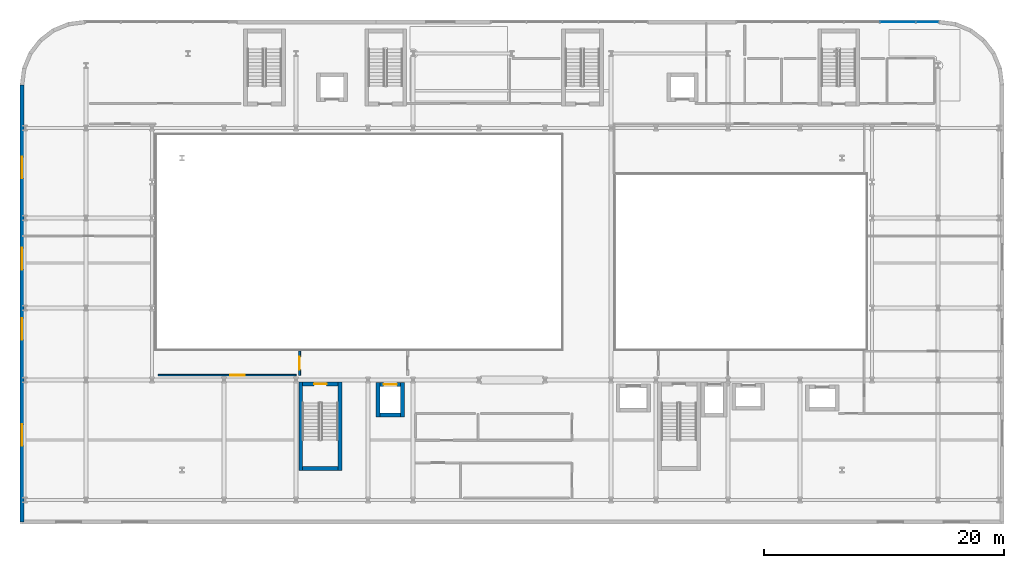
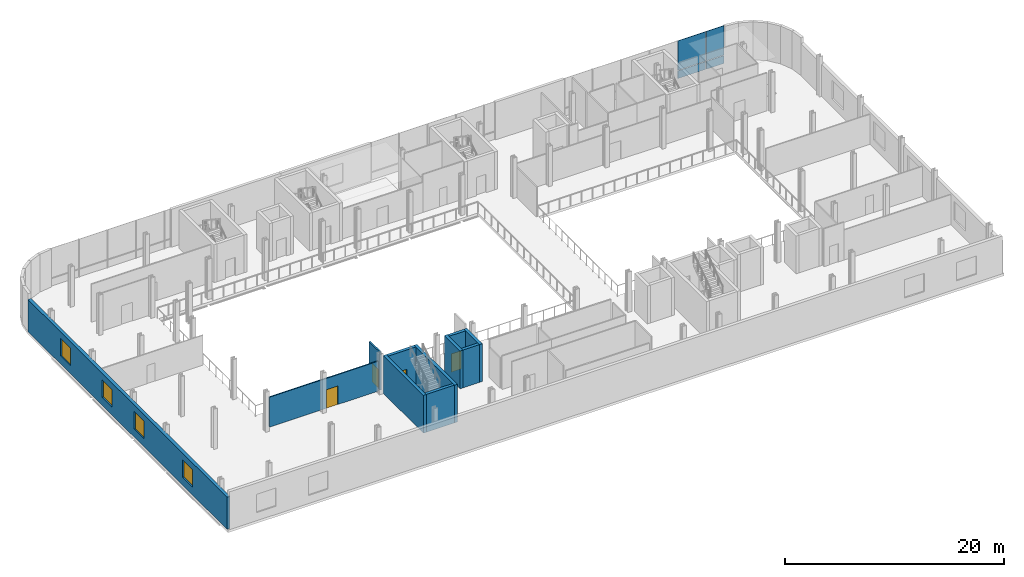
# One storey, part 15 of 25: 11 walls, 4 doors, 4 plates, 4 windows, 8 openings, 1 element without a shape of its own.
"""IFC4 building model written with IfcOpenShell, lengths in metres."""

import ifcopenshell
import ifcopenshell.guid

model = None  # the IFC model being written
_history = None  # IfcOwnerHistory: only IFC2X3 demands one
_inside = {}  # id of a spatial element -> (the spatial element, [elements in it])
_under = {}  # id of a project, library or spatial element -> (it, [spatial elements below it])
_declared = {}  # id of a project -> (the project, [libraries it declares])
_typed = {}  # id of a type object -> (the type object, [elements of that type])
_made_of = {}  # id of a material, layer set ... -> (it, [elements and type objects made of it])


def new_model(schema):
    """Start an empty IFC model of exactly this schema.

    Asked for "IFC4X3", IfcOpenShell would pick the latest addendum, in which some entities
    have other attributes; the version numbers below select the first issue.
    IFC2X3 requires an IfcOwnerHistory on every rooted entity: one is made here for all.
    """
    global model, _history
    if schema == "IFC4X3":
        model = ifcopenshell.file(schema_version=(4, 3, 0, 0))
    else:
        model = ifcopenshell.file(schema=schema)
    _inside.clear()
    _under.clear()
    _declared.clear()
    _typed.clear()
    _made_of.clear()
    _history = None
    if model.schema == "IFC2X3":
        org = make("IfcOrganization", Name="unknown")
        user = make(
            "IfcPersonAndOrganization",
            ThePerson=make("IfcPerson", FamilyName="unknown"),
            TheOrganization=org,
        )
        app = make(
            "IfcApplication",
            ApplicationDeveloper=org,
            Version="unknown",
            ApplicationFullName="unknown",
            ApplicationIdentifier="unknown",
        )
        _history = make(
            "IfcOwnerHistory",
            OwningUser=user,
            OwningApplication=app,
            ChangeAction="ADDED",
            CreationDate=0,
        )
    return model


def make(cls, **values):
    """One entity of the class cls with the attributes given. An attribute that is None is left unset."""
    return model.create_entity(
        cls, **{name: value for name, value in values.items() if value is not None}
    )


def rooted(cls, **values):
    """An entity with a GlobalId (a new one), such as an element, a storey or a relation."""
    return make(cls, GlobalId=ifcopenshell.guid.new(), OwnerHistory=_history, **values)


def si_unit(unit_type, name, prefix=None):
    """IfcSIUnit, for example si_unit("LENGTHUNIT", "METRE", prefix="MILLI")."""
    return make("IfcSIUnit", UnitType=unit_type, Prefix=prefix, Name=name)


def assignment(units):
    """IfcUnitAssignment: the units of a project."""
    return None if units is None else make("IfcUnitAssignment", Units=units)


def point(xyz):
    """IfcCartesianPoint."""
    return None if xyz is None else make("IfcCartesianPoint", Coordinates=xyz)


def direction(xyz):
    """IfcDirection."""
    return None if xyz is None else make("IfcDirection", DirectionRatios=xyz)


def frame(location, z_axis=None, x_axis=None):
    """IfcAxis2Placement3D, a coordinate frame: its origin and axes. An axis left out is left unset."""
    return make(
        "IfcAxis2Placement3D",
        Location=point(location),
        Axis=direction(z_axis),
        RefDirection=direction(x_axis),
    )


def frame_2d(location, x_axis=None):
    """IfcAxis2Placement2D, a coordinate frame in the plane: its origin and x axis."""
    return make(
        "IfcAxis2Placement2D", Location=point(location), RefDirection=direction(x_axis)
    )


def origin():
    """The frame at (0, 0, 0) with its axes left unset."""
    return frame((0.0, 0.0, 0.0))


def origin_2d():
    """The frame at (0, 0) in the plane with its x axis left unset."""
    return frame_2d((0.0, 0.0))


def place(relative_to, where):
    """IfcLocalPlacement: puts the frame where relative to a parent placement (None: the world)."""
    return make(
        "IfcLocalPlacement", PlacementRelTo=relative_to, RelativePlacement=where
    )


def context(
    kind, dimensions, precision=None, world=None, true_north=None, identifier=None
):
    """IfcGeometricRepresentationContext, for example the 3D "Model" context."""
    return make(
        "IfcGeometricRepresentationContext",
        ContextIdentifier=identifier,
        ContextType=kind,
        CoordinateSpaceDimension=dimensions,
        Precision=precision,
        WorldCoordinateSystem=world,
        TrueNorth=true_north,
    )


def subcontext(parent, identifier, kind, view, scale=None):
    """IfcGeometricRepresentationSubContext, for example "Body" below "Model"."""
    return make(
        "IfcGeometricRepresentationSubContext",
        ContextIdentifier=identifier,
        ContextType=kind,
        ParentContext=parent,
        TargetScale=scale,
        TargetView=view,
    )


def project(units=None, contexts=None):
    """IfcProject with its units and contexts."""
    return rooted(
        "IfcProject",
        Name="project",
        RepresentationContexts=contexts,
        UnitsInContext=assignment(units),
    )


def spatial(cls, under=None, at=None, **own):
    """A site, building, storey or space (cls), placed at a placement, below another one or the project."""
    s = rooted(cls, ObjectPlacement=at, **own)
    if under is not None:
        _under.setdefault(under.id(), (under, []))[1].append(s)
    return s


def profile(cls, at=None, kind="AREA", **sizes):
    """A parametric profile (cls). Its sizes go by their IFC names, for example OverallWidth=200.0."""
    return make(cls, ProfileType=kind, Position=at, **sizes)


def rectangle(**sizes):
    """IfcRectangleProfileDef."""
    return profile("IfcRectangleProfileDef", **sizes)


def extrude(swept, where, along, depth):
    """IfcExtrudedAreaSolid: the profile swept, set in the frame where, extruded along a direction by depth."""
    return make(
        "IfcExtrudedAreaSolid",
        SweptArea=swept,
        Position=where,
        ExtrudedDirection=direction(along),
        Depth=depth,
    )


def shape(context_of_items, identifier, shape_type, items):
    """IfcShapeRepresentation: the items that make up one representation, for example the "Body"."""
    return make(
        "IfcShapeRepresentation",
        ContextOfItems=context_of_items,
        RepresentationIdentifier=identifier,
        RepresentationType=shape_type,
        Items=items,
    )


def material(Name=None, Category=None):
    """IfcMaterial."""
    return make("IfcMaterial", Name=Name, Category=Category)


def layer(
    of_material, thickness, ventilated=None, Name=None, Category=None, Priority=None
):
    """IfcMaterialLayer: one layer of a wall or slab, of a material (None: an air gap)."""
    return make(
        "IfcMaterialLayer",
        Material=of_material,
        LayerThickness=thickness,
        IsVentilated=ventilated,
        Name=Name,
        Category=Category,
        Priority=Priority,
    )


def layer_set(layers, Name=None):
    """IfcMaterialLayerSet."""
    return make("IfcMaterialLayerSet", MaterialLayers=layers, LayerSetName=Name)


def made_of(thing, what):
    """Note that an element or type object is made of a material, layer set ...; save() writes the relation."""
    if what is not None:
        _made_of.setdefault(what.id(), (what, []))[1].append(thing)
    return thing


def type_object(cls, material=None, **own):
    """A type object (cls), such as IfcWallType, which elements share."""
    return made_of(rooted(cls, **own), material)


def element(
    cls,
    number,
    at=None,
    inside=None,
    cuts=None,
    type_object=None,
    material=None,
    context=None,
    identifier="Body",
    shape_type=None,
    held_by="IfcProductDefinitionShape",
    body=None,
    shapes=None,
    **own,
):
    """One element of the class cls, such as IfcWall. Its Tag is "e" and its number.

    at: its placement. inside: the storey or other place that contains it. cuts: it is an
    opening in that element (IfcRelVoidsElement). A single representation is given by context,
    identifier, shape_type and body (its items); several are given by shapes. held_by: the class
    of the entity that holds the representations. save() writes the other relations.
    """
    e = rooted(cls, Tag="e%d" % number, ObjectPlacement=at, **own)
    if body is not None:
        shapes = [shape(context, identifier, shape_type, body)]
    if shapes is not None:
        e.Representation = make(held_by, Representations=shapes)
    if inside is not None:
        _inside.setdefault(inside.id(), (inside, []))[1].append(e)
    if cuts is not None:
        rooted(
            "IfcRelVoidsElement", RelatingBuildingElement=cuts, RelatedOpeningElement=e
        )
    if type_object is not None:
        _typed.setdefault(type_object.id(), (type_object, []))[1].append(e)
    return made_of(e, material)


def fill(opening, filler):
    """IfcRelFillsElement: the door or window that sits in an opening."""
    return rooted(
        "IfcRelFillsElement",
        RelatingOpeningElement=opening,
        RelatedBuildingElement=filler,
    )


def aggregate(whole, parts):
    """IfcRelAggregates: a whole, such as a stair, and the parts it consists of."""
    return rooted("IfcRelAggregates", RelatingObject=whole, RelatedObjects=parts)


def save(model, path):
    """Write the relations noted so far, then the file.

    IfcRelAggregates (storeys below a building ...), IfcRelContainedInSpatialStructure (elements
    in a storey), IfcRelDefinesByType, IfcRelAssociatesMaterial and IfcRelDeclares: one each for
    every whole, place, type object, material and project.
    """
    for whole, parts in _under.values():
        aggregate(whole, parts)
    for where, things in _inside.values():
        rooted(
            "IfcRelContainedInSpatialStructure",
            RelatedElements=things,
            RelatingStructure=where,
        )
    for kind, things in _typed.values():
        rooted("IfcRelDefinesByType", RelatedObjects=things, RelatingType=kind)
    for what, things in _made_of.values():
        rooted("IfcRelAssociatesMaterial", RelatedObjects=things, RelatingMaterial=what)
    for by, libraries in _declared.values():
        rooted("IfcRelDeclares", RelatingContext=by, RelatedDefinitions=libraries)
    model.write(path)


model = new_model("IFC4")

# Units and contexts
model_context = context("Model", 3, precision=1e-05, world=origin(), true_north=direction((0.0, 1.0)))
body_context = subcontext(model_context, "Body", "Model", "MODEL_VIEW")
ifc_project = project(units=[si_unit("LENGTHUNIT", "METRE"), si_unit("AREAUNIT", "SQUARE_METRE"), si_unit("VOLUMEUNIT", "CUBIC_METRE"), si_unit("PLANEANGLEUNIT", "RADIAN"), si_unit("MASSUNIT", "GRAM", prefix="KILO")], contexts=[model_context])

# Site, building, storey
site_placement = place(None, origin())
site = spatial("IfcSite", under=ifc_project, at=site_placement, CompositionType="ELEMENT")
building_placement = place(site_placement, origin())
building = spatial("IfcBuilding", under=site, at=building_placement, Name="Brevholm Reach", CompositionType="ELEMENT")
storey_placement = place(building_placement, frame((0.0, 0.0, 9.0)))
storey = spatial("IfcBuildingStorey", under=building, at=storey_placement, Name="L02", CompositionType="ELEMENT", Elevation=9.0)

# Curtain wall, plates
ifc_material_1 = material(Name="Dark Anodised Aluminium 6063-T6 and Solar-Control Glass", Category="aluminium")
ifc_layer_1 = layer(ifc_material_1, 0.1650390625)
ifc_layer_set_1 = layer_set([ifc_layer_1], Name="Dark Anodised Aluminium 6063-T6 and Solar-Control Glass")
curtain_wall_type = type_object("IfcCurtainWallType", Name="CW-03", PredefinedType="NOTDEFINED", material=ifc_layer_set_1)
curtain_wall_placement = place(storey_placement, origin())
curtain_wall = element("IfcCurtainWall", 1, at=curtain_wall_placement, inside=storey, type_object=curtain_wall_type, Name="L02 Curtain Wall CW-03", PredefinedType="NOTDEFINED")
ifc_material_2 = material(Name="Triple-Glazed Acoustic School IGU Glass", Category="glass")
ifc_layer_2 = layer(ifc_material_2, 0.0439453125)
ifc_layer_set_2 = layer_set([ifc_layer_2], Name="Triple-Glazed Acoustic School IGU Glass")
plate_type = type_object("IfcPlateType", Name="CWP-ACU-44", PredefinedType="CURTAIN_PANEL", material=ifc_layer_set_2)
plate_1_placement = place(storey_placement, frame((62.14990234375, 39.830078125, 0.0), z_axis=(0.0, 0.0, 1.0), x_axis=(1.0, 0.0, 0.0)))
plate_1 = element("IfcPlate", 2, at=plate_1_placement, type_object=plate_type, Name="CP-03 Glazing Panel 5.1", PredefinedType="CURTAIN_PANEL", context=body_context, shape_type="SweptSolid", body=[
    extrude(rectangle(XDim=2.929931640625, YDim=0.0439453125, at=origin_2d()), origin(), (0.0, 0.0, 1.0), 0.864990234375),
])
plate_2_placement = place(storey_placement, frame((62.14990234375, 39.830078125, 0.93505859375), z_axis=(0.0, 0.0, 1.0), x_axis=(1.0, 0.0, 0.0)))
plate_2 = element("IfcPlate", 3, at=plate_2_placement, type_object=plate_type, Name="CP-03 Glazing Panel 5.2", PredefinedType="CURTAIN_PANEL", context=body_context, shape_type="SweptSolid", body=[
    extrude(rectangle(XDim=2.929931640625, YDim=0.0439453125, at=origin_2d()), origin(), (0.0, 0.0, 1.0), 3.284912109375),
])
plate_3_placement = place(storey_placement, frame((64.607421875, 39.830078125, 0.0), z_axis=(0.0, 0.0, 1.0), x_axis=(1.0, 0.0, 0.0)))
plate_3 = element("IfcPlate", 4, at=plate_3_placement, type_object=plate_type, Name="CP-03 Glazing Panel 6.1", PredefinedType="CURTAIN_PANEL", context=body_context, shape_type="SweptSolid", body=[
    extrude(rectangle(XDim=1.844970703125, YDim=0.0439453125, at=origin_2d()), origin(), (0.0, 0.0, 1.0), 0.864990234375),
])
plate_4_placement = place(storey_placement, frame((64.607421875, 39.830078125, 0.93505859375), z_axis=(0.0, 0.0, 1.0), x_axis=(1.0, 0.0, 0.0)))
plate_4 = element("IfcPlate", 5, at=plate_4_placement, type_object=plate_type, Name="CP-03 Glazing Panel 6.2", PredefinedType="CURTAIN_PANEL", context=body_context, shape_type="SweptSolid", body=[
    extrude(rectangle(XDim=1.844970703125, YDim=0.0439453125, at=origin_2d()), origin(), (0.0, 0.0, 1.0), 3.284912109375),
])
aggregate(curtain_wall, [plate_1, plate_2, plate_3, plate_4])

# Walls
ifc_material_3 = material(Name="Concrete C60/75", Category="concrete")
ifc_layer_3 = layer(ifc_material_3, 0.320068359375)
ifc_layer_set_3 = layer_set([ifc_layer_3], Name="Concrete C60/75")
wall_type_1 = type_object("IfcWallType", Name="WAL-COR-320", PredefinedType="SHEAR", material=ifc_layer_set_3)
for number, where, z_axis, x_axis, name in (
    (6, (12.389892578125, 2.4599609375, 0.0), (0.0, 0.0, 1.0), (0.0, 1.0, 0.0), "L02 Escape Stair ST-1 Core Wall W"),
    (7, (15.659912109375, 2.4599609375, 0.0), (0.0, 0.0, 1.0), (0.0, 1.0, 0.0), "L02 Escape Stair ST-1 Core Wall E"),
):
    element("IfcWall", number, at=place(storey_placement, frame(where, z_axis=z_axis, x_axis=x_axis)), inside=storey, type_object=wall_type_1, Name=name, PredefinedType="SHEAR", context=body_context, shape_type="SweptSolid", body=[
        extrude(rectangle(XDim=7.360107421875, YDim=0.320068359375, at=frame_2d((3.68017578125, 0.0))), origin(), (0.0, 0.0, 1.0), 4.219970703125),
    ])
wall_1_placement = place(storey_placement, frame((12.550048828125, 2.6201171875, 0.0), z_axis=(0.0, 0.0, 1.0), x_axis=(1.0, 0.0, 0.0)))
element("IfcWall", 8, at=wall_1_placement, inside=storey, type_object=wall_type_1, Name="L02 Escape Stair ST-1 Core Wall S", PredefinedType="SHEAR", context=body_context, shape_type="SweptSolid", body=[
    extrude(rectangle(XDim=2.949951171875, YDim=0.320068359375, at=frame_2d((1.47509765625, 0.0))), origin(), (0.0, 0.0, 1.0), 4.219970703125),
])

# Wall, opening, door
wall_2_placement = place(storey_placement, frame((15.5, 9.659912109375, 0.0), z_axis=(0.0, 0.0, 1.0), x_axis=(-1.0, 0.0, 0.0)))
wall_2 = element("IfcWall", 9, at=wall_2_placement, inside=storey, type_object=wall_type_1, Name="L02 Escape Stair ST-1 Core Wall N", PredefinedType="SHEAR", context=body_context, shape_type="SweptSolid", body=[
    extrude(rectangle(XDim=2.949951171875, YDim=0.320068359375, at=frame_2d((1.47509765625, 0.0))), origin(), (0.0, 0.0, 1.0), 4.219970703125),
])
opening_1_placement = place(wall_2_placement, frame((0.949951171875, 0.0, 0.0)))
opening_1 = element("IfcOpeningElement", 10, at=opening_1_placement, cuts=wall_2, Name="Opening SD-ST-1", PredefinedType="OPENING", context=body_context, shape_type="SweptSolid", body=[
    extrude(rectangle(XDim=1.050048828125, YDim=2.06005859375, at=frame_2d((0.52490234375, 1.030029296875))), frame((0.0, 0.169921875, 0.0), z_axis=(0.0, -1.0, 0.0), x_axis=(1.0, 0.0, 0.0)), (0.0, 0.0, 1.0), 0.340087890625),
])
ifc_material_4 = material(Name="Hardwood-Lipped Steel-Core Fire and Smoke Door", Category="steel")
door_type_1 = type_object("IfcDoorType", Name="DOR-INT-FD60S", OperationType="NOTDEFINED", PredefinedType="DOOR", material=ifc_material_4)
door_1_placement = place(opening_1_placement, origin())
door_1 = element("IfcDoor", 11, at=door_1_placement, inside=storey, type_object=door_type_1, Name="L02 Protected Stair ST-1 Lobby Door", OperationType="SINGLE_SWING_RIGHT", OverallHeight=2.06005859375, OverallWidth=1.050048828125, PredefinedType="DOOR", context=body_context, shape_type="SweptSolid", body=[
    extrude(rectangle(XDim=1.050048828125, YDim=2.06005859375, at=frame_2d((0.52490234375, 1.030029296875))), frame((0.0, 0.02490234375, 0.0), z_axis=(0.0, -1.0, 0.0), x_axis=(1.0, 0.0, 0.0)), (0.0, 0.0, 1.0), 0.050048828125),
])
fill(opening_1, door_1)

# Walls
for number, where, z_axis, x_axis, name in (
    (12, (18.830078125, 6.919921875, 0.0), (0.0, 0.0, 1.0), (0.0, 1.0, 0.0), "L02 Lift FFL-1 Shaft Wall W"),
    (13, (20.8701171875, 6.919921875, 0.0), (0.0, 0.0, 1.0), (0.0, 1.0, 0.0), "L02 Lift FFL-1 Shaft Wall E"),
):
    element("IfcWall", number, at=place(storey_placement, frame(where, z_axis=z_axis, x_axis=x_axis)), inside=storey, type_object=wall_type_1, Name=name, PredefinedType="SHEAR", context=body_context, shape_type="SweptSolid", body=[
        extrude(rectangle(XDim=2.860107421875, YDim=0.320068359375, at=frame_2d((1.43017578125, 0.0))), origin(), (0.0, 0.0, 1.0), 4.219970703125),
    ])
wall_3_placement = place(storey_placement, frame((18.989990234375, 7.080078125, 0.0), z_axis=(0.0, 0.0, 1.0), x_axis=(1.0, 0.0, 0.0)))
element("IfcWall", 14, at=wall_3_placement, inside=storey, type_object=wall_type_1, Name="L02 Lift FFL-1 Shaft Wall S", PredefinedType="SHEAR", context=body_context, shape_type="SweptSolid", body=[
    extrude(rectangle(XDim=1.719970703125, YDim=0.320068359375, at=frame_2d((0.85986328125, 0.0))), origin(), (0.0, 0.0, 1.0), 4.219970703125),
])

# Wall, opening, door
wall_4_placement = place(storey_placement, frame((18.989990234375, 9.6201171875, 0.0), z_axis=(0.0, 0.0, 1.0), x_axis=(1.0, 0.0, 0.0)))
wall_4 = element("IfcWall", 15, at=wall_4_placement, inside=storey, type_object=wall_type_1, Name="L02 Lift FFL-1 Shaft Wall N", PredefinedType="SHEAR", context=body_context, shape_type="SweptSolid", body=[
    extrude(rectangle(XDim=1.719970703125, YDim=0.320068359375, at=frame_2d((0.85986328125, 0.0))), origin(), (0.0, 0.0, 1.0), 4.219970703125),
])
opening_2_placement = place(wall_4_placement, frame((0.31005859375, 0.0, 0.0)))
opening_2 = element("IfcOpeningElement", 16, at=opening_2_placement, cuts=wall_4, Name="Opening LD-FFL-1", PredefinedType="OPENING", context=body_context, shape_type="SweptSolid", body=[
    extrude(rectangle(XDim=1.10009765625, YDim=2.06005859375, at=frame_2d((0.550048828125, 1.030029296875))), frame((0.0, 0.169921875, 0.0), z_axis=(0.0, -1.0, 0.0), x_axis=(1.0, 0.0, 0.0)), (0.0, 0.0, 1.0), 0.340087890625),
])
ifc_material_5 = material(Name="Brushed Stainless Steel Fire-Rated Sliding Lift Door", Category="steel")
door_type_2 = type_object("IfcDoorType", Name="DOR-LFT-1100", OperationType="NOTDEFINED", PredefinedType="DOOR", material=ifc_material_5)
door_2_placement = place(opening_2_placement, origin())
door_2 = element("IfcDoor", 17, at=door_2_placement, inside=storey, type_object=door_type_2, Name="L02 Lift FFL-1 Sliding Landing Door", OperationType="SLIDING_TO_RIGHT", OverallHeight=2.06005859375, OverallWidth=1.10009765625, PredefinedType="DOOR", context=body_context, shape_type="SweptSolid", body=[
    extrude(rectangle(XDim=1.10009765625, YDim=2.06005859375, at=frame_2d((0.550048828125, 1.030029296875))), frame((0.0, 0.02490234375, 0.0), z_axis=(0.0, -1.0, 0.0), x_axis=(1.0, 0.0, 0.0)), (0.0, 0.0, 1.0), 0.050048828125),
])
fill(opening_2, door_2)

# Wall, openings, windows
ifc_material_6 = material(Name="Concrete C40/50", Category="concrete")
ifc_layer_4 = layer(ifc_material_6, 0.340087890625)
ifc_layer_set_4 = layer_set([ifc_layer_4], Name="Concrete C40/50")
wall_type_2 = type_object("IfcWallType", Name="WAL-EXT-340", PredefinedType="STANDARD", material=ifc_layer_set_4)
wall_5_placement = place(storey_placement, frame((-10.830078125, 34.60009765625, 0.0), z_axis=(0.0, 0.0, 1.0), x_axis=(0.0, -1.0, 0.0)))
wall_5 = element("IfcWall", 18, at=wall_5_placement, inside=storey, type_object=wall_type_2, Name="L02 Facade Wall WAL-L02-W", PredefinedType="STANDARD", context=body_context, shape_type="SweptSolid", body=[
    extrude(rectangle(XDim=36.43017578125, YDim=0.340087890625, at=frame_2d((18.215087890625, 0.0))), origin(), (0.0, 0.0, 1.0), 3.582763671875),
])
opening_3_placement = place(wall_5_placement, frame((28.300048828125, 0.0, 0.89990234375)))
opening_3 = element("IfcOpeningElement", 19, at=opening_3_placement, cuts=wall_5, Name="Opening WN-01", PredefinedType="OPENING", context=body_context, shape_type="SweptSolid", body=[
    extrude(rectangle(XDim=1.800048828125, YDim=1.949951171875, at=frame_2d((0.89990234375, 0.97509765625))), frame((0.0, 0.179931640625, 0.0), z_axis=(0.0, -1.0, 0.0), x_axis=(1.0, 0.0, 0.0)), (0.0, 0.0, 1.0), 0.360107421875),
])
opening_4_placement = place(wall_5_placement, frame((19.449951171875, 0.0, 0.89990234375)))
opening_4 = element("IfcOpeningElement", 20, at=opening_4_placement, cuts=wall_5, Name="Opening WN-01", PredefinedType="OPENING", context=body_context, shape_type="SweptSolid", body=[
    extrude(rectangle(XDim=1.800048828125, YDim=1.949951171875, at=frame_2d((0.89990234375, 0.97509765625))), frame((0.0, 0.179931640625, 0.0), z_axis=(0.0, -1.0, 0.0), x_axis=(1.0, 0.0, 0.0)), (0.0, 0.0, 1.0), 0.360107421875),
])
opening_5_placement = place(wall_5_placement, frame((13.60009765625, 0.0, 0.89990234375)))
opening_5 = element("IfcOpeningElement", 21, at=opening_5_placement, cuts=wall_5, Name="Opening WN-01", PredefinedType="OPENING", context=body_context, shape_type="SweptSolid", body=[
    extrude(rectangle(XDim=1.800048828125, YDim=1.949951171875, at=frame_2d((0.89990234375, 0.97509765625))), frame((0.0, 0.179931640625, 0.0), z_axis=(0.0, -1.0, 0.0), x_axis=(1.0, 0.0, 0.0)), (0.0, 0.0, 1.0), 0.360107421875),
])
opening_6_placement = place(wall_5_placement, frame((6.0, 0.0, 0.89990234375)))
opening_6 = element("IfcOpeningElement", 22, at=opening_6_placement, cuts=wall_5, Name="Opening WN-01", PredefinedType="OPENING", context=body_context, shape_type="SweptSolid", body=[
    extrude(rectangle(XDim=1.800048828125, YDim=1.949951171875, at=frame_2d((0.89990234375, 0.97509765625))), frame((0.0, 0.179931640625, 0.0), z_axis=(0.0, -1.0, 0.0), x_axis=(1.0, 0.0, 0.0)), (0.0, 0.0, 1.0), 0.360107421875),
])
ifc_material_7 = material(Name="Dark Anodised Aluminium and Solar-Control IGU Glass", Category="aluminium")
window_type = type_object("IfcWindowType", Name="WIN-SCH-1800", PartitioningType="SINGLE_PANEL", PredefinedType="WINDOW", material=ifc_material_7)
window_1_placement = place(opening_3_placement, origin())
window_1 = element("IfcWindow", 23, at=window_1_placement, inside=storey, type_object=window_type, Name="L02 Window WIN-L02-W-1", OverallHeight=1.949951171875, OverallWidth=1.800048828125, PartitioningType="SINGLE_PANEL", PredefinedType="WINDOW", context=body_context, shape_type="SweptSolid", body=[
    extrude(rectangle(XDim=1.800048828125, YDim=1.949951171875, at=frame_2d((0.89990234375, 0.97509765625))), frame((0.0, 0.030029296875, 0.0), z_axis=(0.0, -1.0, 0.0), x_axis=(1.0, 0.0, 0.0)), (0.0, 0.0, 1.0), 0.06005859375),
])
fill(opening_3, window_1)
window_2_placement = place(opening_4_placement, origin())
window_2 = element("IfcWindow", 24, at=window_2_placement, inside=storey, type_object=window_type, Name="L02 Window WIN-L02-W-2", OverallHeight=1.949951171875, OverallWidth=1.800048828125, PartitioningType="SINGLE_PANEL", PredefinedType="WINDOW", context=body_context, shape_type="SweptSolid", body=[
    extrude(rectangle(XDim=1.800048828125, YDim=1.949951171875, at=frame_2d((0.89990234375, 0.97509765625))), frame((0.0, 0.030029296875, 0.0), z_axis=(0.0, -1.0, 0.0), x_axis=(1.0, 0.0, 0.0)), (0.0, 0.0, 1.0), 0.06005859375),
])
fill(opening_4, window_2)
window_3_placement = place(opening_5_placement, origin())
window_3 = element("IfcWindow", 25, at=window_3_placement, inside=storey, type_object=window_type, Name="L02 Window WIN-L02-W-3", OverallHeight=1.949951171875, OverallWidth=1.800048828125, PartitioningType="SINGLE_PANEL", PredefinedType="WINDOW", context=body_context, shape_type="SweptSolid", body=[
    extrude(rectangle(XDim=1.800048828125, YDim=1.949951171875, at=frame_2d((0.89990234375, 0.97509765625))), frame((0.0, 0.030029296875, 0.0), z_axis=(0.0, -1.0, 0.0), x_axis=(1.0, 0.0, 0.0)), (0.0, 0.0, 1.0), 0.06005859375),
])
fill(opening_5, window_3)
window_4_placement = place(opening_6_placement, origin())
window_4 = element("IfcWindow", 26, at=window_4_placement, inside=storey, type_object=window_type, Name="L02 Window WIN-L02-W-4", OverallHeight=1.949951171875, OverallWidth=1.800048828125, PartitioningType="SINGLE_PANEL", PredefinedType="WINDOW", context=body_context, shape_type="SweptSolid", body=[
    extrude(rectangle(XDim=1.800048828125, YDim=1.949951171875, at=frame_2d((0.89990234375, 0.97509765625))), frame((0.0, 0.030029296875, 0.0), z_axis=(0.0, -1.0, 0.0), x_axis=(1.0, 0.0, 0.0)), (0.0, 0.0, 1.0), 0.06005859375),
])
fill(opening_6, window_4)

# Wall, opening, door
ifc_material_8 = material(Name="Acoustic Fire-Rated Classroom Gypsum Partition 120 mm", Category="gypsum")
ifc_layer_5 = layer(ifc_material_8, 0.1201171875)
ifc_layer_set_5 = layer_set([ifc_layer_5], Name="Acoustic Fire-Rated Classroom Gypsum Partition 120 mm")
wall_type_3 = type_object("IfcWallType", Name="WAL-PRT-120", PredefinedType="PARTITIONING", material=ifc_layer_set_5)
wall_6_placement = place(storey_placement, frame((0.5, 10.39990234375, 0.0), z_axis=(0.0, 0.0, 1.0), x_axis=(1.0, 0.0, 0.0)))
wall_6 = element("IfcWall", 27, at=wall_6_placement, inside=storey, type_object=wall_type_3, Name="L02 Internal Partition 025", PredefinedType="PARTITIONING", context=body_context, shape_type="SweptSolid", body=[
    extrude(rectangle(XDim=11.51123046875, YDim=0.1201171875, at=frame_2d((5.755615234375, 0.0))), origin(), (0.0, 0.0, 1.0), 3.343994140625),
])
opening_7_placement = place(wall_6_placement, frame((6.03564453125, 0.0, 0.0)))
opening_7 = element("IfcOpeningElement", 28, at=opening_7_placement, cuts=wall_6, Name="Opening ID-SC", PredefinedType="OPENING", context=body_context, shape_type="SweptSolid", body=[
    extrude(rectangle(XDim=1.199951171875, YDim=2.080078125, at=frame_2d((0.60009765625, 1.0400390625))), frame((0.0, 0.070068359375, 0.0), z_axis=(0.0, -1.0, 0.0), x_axis=(1.0, 0.0, 0.0)), (0.0, 0.0, 1.0), 0.14013671875),
])
ifc_material_9 = material(Name="Acoustic European Oak Classroom Vision-Panel Fire Door", Category="timber")
door_type_3 = type_object("IfcDoorType", Name="DOR-SCH-1200", OperationType="NOTDEFINED", PredefinedType="DOOR", material=ifc_material_9)
door_3_placement = place(opening_7_placement, origin())
door_3 = element("IfcDoor", 29, at=door_3_placement, inside=storey, type_object=door_type_3, Name="L02 Internal Door 020", OperationType="SINGLE_SWING_RIGHT", OverallHeight=2.080078125, OverallWidth=1.199951171875, PredefinedType="DOOR", context=body_context, shape_type="SweptSolid", body=[
    extrude(rectangle(XDim=1.199951171875, YDim=2.080078125, at=frame_2d((0.60009765625, 1.0400390625))), frame((0.0, 0.02490234375, 0.0), z_axis=(0.0, -1.0, 0.0), x_axis=(1.0, 0.0, 0.0)), (0.0, 0.0, 1.0), 0.050048828125),
])
fill(opening_7, door_3)

ifc_material_10 = material(Name="Twin-Frame Fire-Rated Gypsum Board and Mineral Wool 160 mm", Category="gypsum")
ifc_layer_6 = layer(ifc_material_10, 0.159912109375)
ifc_layer_set_6 = layer_set([ifc_layer_6], Name="Twin-Frame Fire-Rated Gypsum Board and Mineral Wool 160 mm")
wall_type_4 = type_object("IfcWallType", Name="WAL-PRT-160", PredefinedType="PARTITIONING", material=ifc_layer_set_6)
wall_7_placement = place(storey_placement, frame((12.300048828125, 10.388671875, 0.0), z_axis=(0.0, 0.0, 1.0), x_axis=(0.0, 1.0, 0.0)))
wall_7 = element("IfcWall", 30, at=wall_7_placement, inside=storey, type_object=wall_type_4, Name="L02 Internal Partition 009", PredefinedType="PARTITIONING", context=body_context, shape_type="SweptSolid", body=[
    extrude(rectangle(XDim=2.01123046875, YDim=0.159912109375, at=frame_2d((1.005615234375, 0.0))), origin(), (0.0, 0.0, 1.0), 4.219970703125),
])
opening_8_placement = place(wall_7_placement, frame((0.480712890625, 0.0, 0.0)))
opening_8 = element("IfcOpeningElement", 31, at=opening_8_placement, cuts=wall_7, Name="Opening FD-01", PredefinedType="OPENING", context=body_context, shape_type="SweptSolid", body=[
    extrude(rectangle(XDim=1.050048828125, YDim=2.06005859375, at=frame_2d((0.52490234375, 1.030029296875))), frame((0.0, 0.08984375, 0.0), z_axis=(0.0, -1.0, 0.0), x_axis=(1.0, 0.0, 0.0)), (0.0, 0.0, 1.0), 0.179931640625),
])
door_4_placement = place(opening_8_placement, origin())
door_4 = element("IfcDoor", 32, at=door_4_placement, inside=storey, type_object=door_type_1, Name="L02 Internal Door 005", OperationType="SINGLE_SWING_LEFT", OverallHeight=2.06005859375, OverallWidth=1.050048828125, PredefinedType="DOOR", context=body_context, shape_type="SweptSolid", body=[
    extrude(rectangle(XDim=1.050048828125, YDim=2.06005859375, at=frame_2d((0.52490234375, 1.030029296875))), frame((0.0, 0.02490234375, 0.0), z_axis=(0.0, -1.0, 0.0), x_axis=(1.0, 0.0, 0.0)), (0.0, 0.0, 1.0), 0.050048828125),
])
fill(opening_8, door_4)

save(model, "model.ifc")
